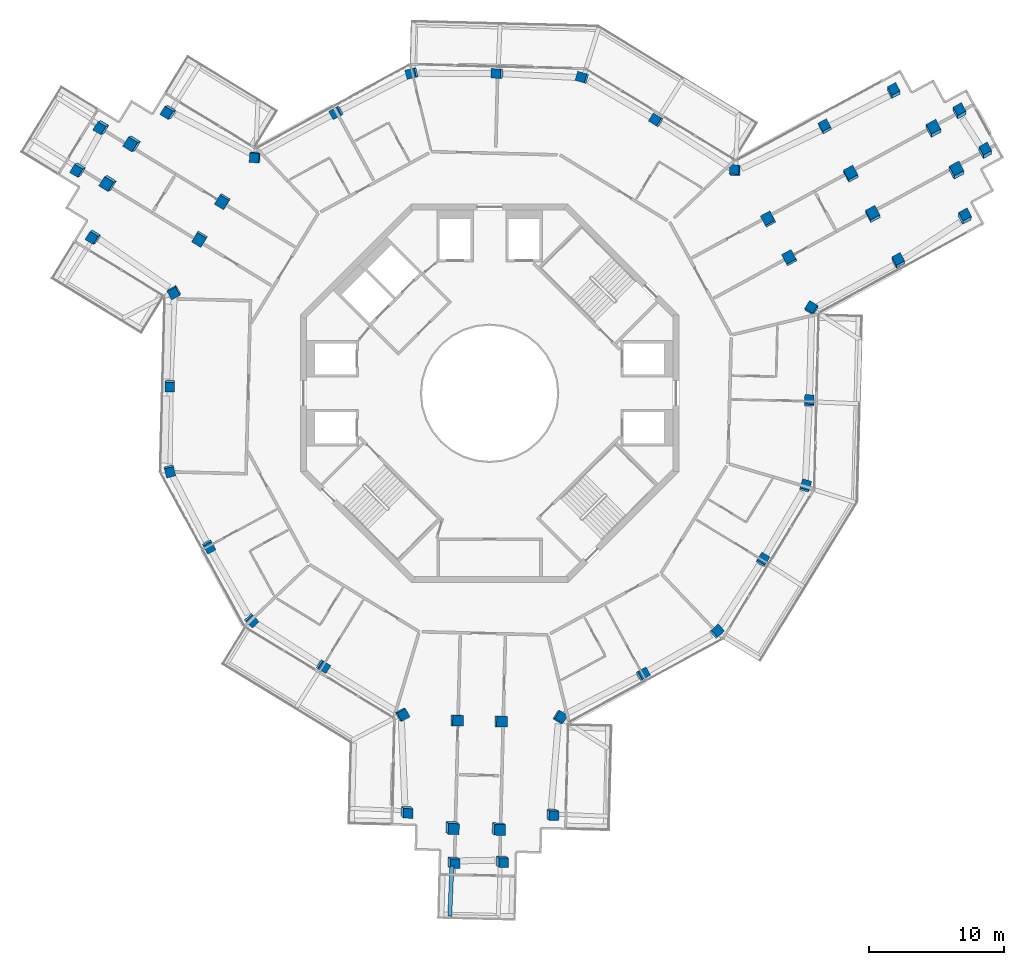
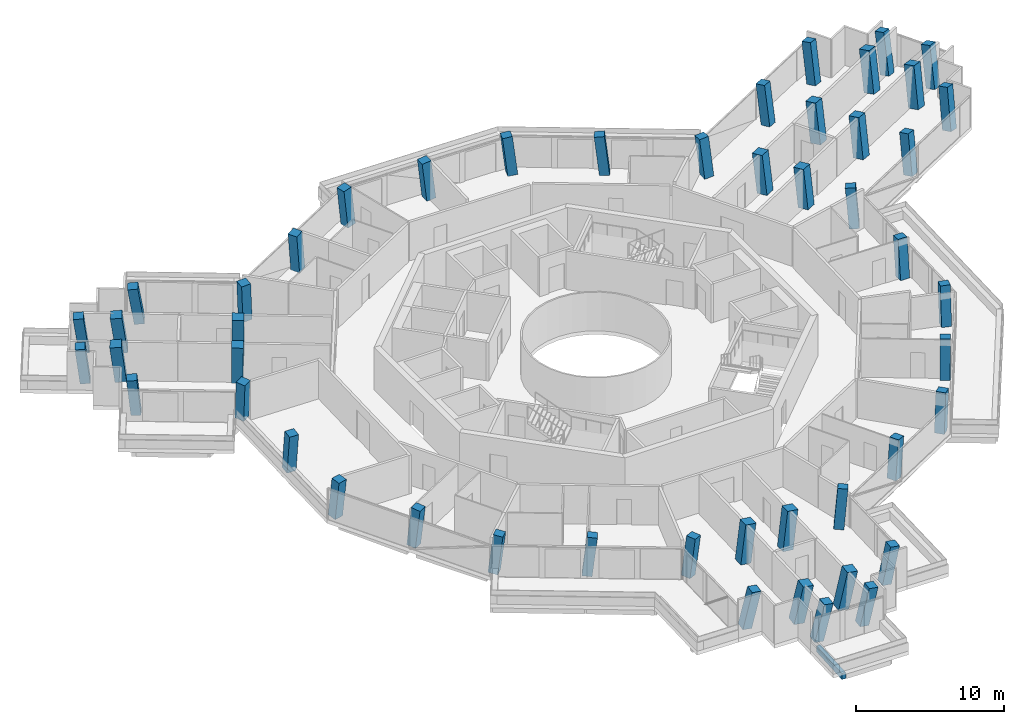
# One storey, part 1 of 24: 49 columns, 1 beam.
"""IFC4 building model written with IfcOpenShell, lengths in metres."""

from ifc_helpers import new_model, si_unit, direction, frame, origin, origin_2d, place, context, subcontext, project, spatial, rectangle, extrude, material, material_profile, profile_set, type_object, element, save


model = new_model("IFC4")

# Units and contexts
model_context = context("Model", 3, precision=1e-05, world=origin(), true_north=direction((0.0, 1.0)))
body_context = subcontext(model_context, "Body", "Model", "MODEL_VIEW")
ifc_project = project(units=[si_unit("LENGTHUNIT", "METRE"), si_unit("AREAUNIT", "SQUARE_METRE"), si_unit("VOLUMEUNIT", "CUBIC_METRE"), si_unit("PLANEANGLEUNIT", "RADIAN"), si_unit("MASSUNIT", "GRAM", prefix="KILO")], contexts=[model_context])

# Site, building, storey
site_placement = place(None, origin())
site = spatial("IfcSite", under=ifc_project, at=site_placement, CompositionType="ELEMENT")
building_placement = place(site_placement, origin())
building = spatial("IfcBuilding", under=site, at=building_placement, Name="Verdalira Terraces Hotel", CompositionType="ELEMENT")
storey_placement = place(building_placement, frame((0.0, 0.0, 274.0)))
storey = spatial("IfcBuildingStorey", under=building, at=storey_placement, Name="L67", CompositionType="ELEMENT", Elevation=274.0)

# Columns
ifc_material_1 = material(Name="Concrete C50", Category="concrete")
ifc_material_profile_1 = material_profile(ifc_material_1, rectangle(XDim=0.699951, YDim=0.699951, at=origin_2d()), Name="RC 700X700")
ifc_profile_set_1 = profile_set([ifc_material_profile_1], Name="Concrete C50")
column_type_1 = type_object("IfcColumnType", Name="Column RC 700X700 C50", PredefinedType="COLUMN", material=ifc_profile_set_1)
column_1_placement = place(storey_placement, frame((-23.67041, 20.812012, 0.0), z_axis=(-0.194443857, -0.054195416, 0.979415358), x_axis=(-0.834227402, 0.534373411, -0.136050352)))
element("IfcColumn", 1, at=column_1_placement, inside=storey, type_object=column_type_1, Name="Column C01", PredefinedType="COLUMN", context=body_context, shape_type="SweptSolid", body=[
    extrude(rectangle(XDim=0.699951, YDim=0.699951, at=origin_2d()), origin(), (0.0, 0.0, 1.0), 3.25708),
])
column_2_placement = place(storey_placement, frame((-29.259033, 11.593994, 0.0), z_axis=(-0.151919428, -0.080596461, 0.985101364), x_axis=(0.843160951, -0.530638658, 0.086615383)))
element("IfcColumn", 2, at=column_2_placement, inside=storey, type_object=column_type_1, Name="Column C02", PredefinedType="COLUMN", context=body_context, shape_type="SweptSolid", body=[
    extrude(rectangle(XDim=0.699951, YDim=0.699951, at=origin_2d()), origin(), (0.0, 0.0, 1.0), 3.238281),
])
column_3_placement = place(storey_placement, frame((-23.336914, 7.516113, 0.0), z_axis=(-0.034737788, -0.111282543, 0.993181495), x_axis=(-0.483036435, 0.871864688, 0.080794601)))
element("IfcColumn", 3, at=column_3_placement, inside=storey, type_object=column_type_1, Name="Column C03", PredefinedType="COLUMN", context=body_context, shape_type="SweptSolid", body=[
    extrude(rectangle(XDim=0.699951, YDim=0.699951, at=origin_2d()), origin(), (0.0, 0.0, 1.0), 3.211914),
])
column_4_placement = place(storey_placement, frame((-23.650879, 0.594482, 0.0), z_axis=(-0.001901218, -0.112476061, 0.993652616), x_axis=(-0.025223407, -0.993332875, -0.11248813)))
element("IfcColumn", 4, at=column_4_placement, inside=storey, type_object=column_type_1, Name="Column C04", PredefinedType="COLUMN", context=body_context, shape_type="SweptSolid", body=[
    extrude(rectangle(XDim=0.699951, YDim=0.699951, at=origin_2d()), origin(), (0.0, 0.0, 1.0), 3.210205),
])
column_5_placement = place(storey_placement, frame((-23.669189, -5.70874, 0.0), z_axis=(0.028051466, -0.112281885, 0.99328037), x_axis=(-0.232561936, 0.965671679, 0.115728794)))
element("IfcColumn", 5, at=column_5_placement, inside=storey, type_object=column_type_1, Name="Column C05", PredefinedType="COLUMN", context=body_context, shape_type="SweptSolid", body=[
    extrude(rectangle(XDim=0.699951, YDim=0.699951, at=origin_2d()), origin(), (0.0, 0.0, 1.0), 3.211426),
])
column_6_placement = place(storey_placement, frame((-20.779541, -11.310547, 0.0), z_axis=(0.054678505, -0.0984061, 0.993643045), x_axis=(0.475225292, -0.872632983, -0.112572636)))
element("IfcColumn", 6, at=column_6_placement, inside=storey, type_object=column_type_1, Name="Column C06", PredefinedType="COLUMN", context=body_context, shape_type="SweptSolid", body=[
    extrude(rectangle(XDim=0.699951, YDim=0.699951, at=origin_2d()), origin(), (0.0, 0.0, 1.0), 3.210449),
])
column_7_placement = place(storey_placement, frame((-17.643799, -16.778564, 0.0), z_axis=(0.080429245, -0.083241987, 0.993278364), x_axis=(-0.684092384, 0.720153088, 0.115746011)))
element("IfcColumn", 7, at=column_7_placement, inside=storey, type_object=column_type_1, Name="Column C07", PredefinedType="COLUMN", context=body_context, shape_type="SweptSolid", body=[
    extrude(rectangle(XDim=0.699951, YDim=0.699951, at=origin_2d()), origin(), (0.0, 0.0, 1.0), 3.211426),
])
column_8_placement = place(storey_placement, frame((-12.340332, -20.185059, 0.0), z_axis=(0.096505434, -0.057872841, 0.993648547), x_axis=(0.847798451, -0.518243304, -0.112524062)))
element("IfcColumn", 8, at=column_8_placement, inside=storey, type_object=column_type_1, Name="Column C08", PredefinedType="COLUMN", context=body_context, shape_type="SweptSolid", body=[
    extrude(rectangle(XDim=0.699951, YDim=0.699951, at=origin_2d()), origin(), (0.0, 0.0, 1.0), 3.210449),
])
column_9_placement = place(storey_placement, frame((-6.499023, -23.756104, 0.0), z_axis=(0.113176251, -0.029947242, 0.993123506), x_axis=(-0.470487, 0.878762487, 0.080115381)))
element("IfcColumn", 9, at=column_9_placement, inside=storey, type_object=column_type_1, Name="Column C09", PredefinedType="COLUMN", context=body_context, shape_type="SweptSolid", body=[
    extrude(rectangle(XDim=0.699951, YDim=0.699951, at=origin_2d()), origin(), (0.0, 0.0, 1.0), 3.211914),
])
column_10_placement = place(storey_placement, frame((-6.188721, -30.905273, 0.0), z_axis=(0.144221408, -0.141223042, 0.979416274), x_axis=(-0.045190065, -0.989671145, -0.136047356)))
element("IfcColumn", 10, at=column_10_placement, inside=storey, type_object=column_type_1, Name="Column C10", PredefinedType="COLUMN", context=body_context, shape_type="SweptSolid", body=[
    extrude(rectangle(XDim=0.699951, YDim=0.699951, at=origin_2d()), origin(), (0.0, 0.0, 1.0), 3.25708),
])
column_11_placement = place(storey_placement, frame((-2.741699, -34.653076, 0.0), z_axis=(0.161533593, -0.124821413, 0.978941527), x_axis=(0.986557112, -0.00444103, -0.163356489)))
element("IfcColumn", 11, at=column_11_placement, inside=storey, type_object=column_type_1, Name="Column C11", PredefinedType="COLUMN", context=body_context, shape_type="SweptSolid", body=[
    extrude(rectangle(XDim=0.699951, YDim=0.699951, at=origin_2d()), origin(), (0.0, 0.0, 1.0), 3.258545),
])
column_12_placement = place(storey_placement, frame((0.841309, -34.583008, 0.0), z_axis=(0.161410181, -0.108332508, 0.980923453), x_axis=(0.98656946, -0.007515872, -0.163169275)))
element("IfcColumn", 12, at=column_12_placement, inside=storey, type_object=column_type_1, Name="Column C12", PredefinedType="COLUMN", context=body_context, shape_type="SweptSolid", body=[
    extrude(rectangle(XDim=0.699951, YDim=0.699951, at=origin_2d()), origin(), (0.0, 0.0, 1.0), 3.251953),
])
column_13_placement = place(storey_placement, frame((4.589111, -31.135986, 0.0), z_axis=(0.145664297, -0.091228675, 0.985118897), x_axis=(0.038055209, 0.99551913, 0.086564785)))
element("IfcColumn", 13, at=column_13_placement, inside=storey, type_object=column_type_1, Name="Column C13", PredefinedType="COLUMN", context=body_context, shape_type="SweptSolid", body=[
    extrude(rectangle(XDim=0.699951, YDim=0.699951, at=origin_2d()), origin(), (0.0, 0.0, 1.0), 3.238037),
])
column_14_placement = place(storey_placement, frame((5.15918, -23.968262, 0.0), z_axis=(0.113790603, 0.025464163, 0.99317837), x_axis=(-0.514280758, -0.853805923, 0.080813047)))
element("IfcColumn", 14, at=column_14_placement, inside=storey, type_object=column_type_1, Name="Column C14", PredefinedType="COLUMN", context=body_context, shape_type="SweptSolid", body=[
    extrude(rectangle(XDim=0.699951, YDim=0.699951, at=origin_2d()), origin(), (0.0, 0.0, 1.0), 3.211914),
])
column_15_placement = place(storey_placement, frame((11.310547, -20.779541, 0.0), z_axis=(0.0984061, 0.054678505, 0.993643045), x_axis=(0.872632983, 0.475225292, -0.112572636)))
element("IfcColumn", 15, at=column_15_placement, inside=storey, type_object=column_type_1, Name="Column C15", PredefinedType="COLUMN", context=body_context, shape_type="SweptSolid", body=[
    extrude(rectangle(XDim=0.699951, YDim=0.699951, at=origin_2d()), origin(), (0.0, 0.0, 1.0), 3.210449),
])
column_16_placement = place(storey_placement, frame((16.778564, -17.643799, 0.0), z_axis=(0.083241987, 0.080429245, 0.993278364), x_axis=(-0.720153088, -0.684092384, 0.115746011)))
element("IfcColumn", 16, at=column_16_placement, inside=storey, type_object=column_type_1, Name="Column C16", PredefinedType="COLUMN", context=body_context, shape_type="SweptSolid", body=[
    extrude(rectangle(XDim=0.699951, YDim=0.699951, at=origin_2d()), origin(), (0.0, 0.0, 1.0), 3.211426),
])
column_17_placement = place(storey_placement, frame((20.185059, -12.340332, 0.0), z_axis=(0.057872841, 0.096505434, 0.993648547), x_axis=(0.518243304, 0.847798451, -0.112524062)))
element("IfcColumn", 17, at=column_17_placement, inside=storey, type_object=column_type_1, Name="Column C17", PredefinedType="COLUMN", context=body_context, shape_type="SweptSolid", body=[
    extrude(rectangle(XDim=0.699951, YDim=0.699951, at=origin_2d()), origin(), (0.0, 0.0, 1.0), 3.210449),
])
column_18_placement = place(storey_placement, frame((23.352539, -6.890625, 0.0), z_axis=(0.03185237, 0.111293246, 0.993277021), x_axis=(-0.281402991, -0.952582043, 0.115757536)))
element("IfcColumn", 18, at=column_18_placement, inside=storey, type_object=column_type_1, Name="Column C18", PredefinedType="COLUMN", context=body_context, shape_type="SweptSolid", body=[
    extrude(rectangle(XDim=0.699951, YDim=0.699951, at=origin_2d()), origin(), (0.0, 0.0, 1.0), 3.211426),
])
column_19_placement = place(storey_placement, frame((23.650879, -0.594482, 0.0), z_axis=(0.001901218, 0.112476061, 0.993652616), x_axis=(0.025223407, 0.993332875, -0.11248813)))
element("IfcColumn", 19, at=column_19_placement, inside=storey, type_object=column_type_1, Name="Column C19", PredefinedType="COLUMN", context=body_context, shape_type="SweptSolid", body=[
    extrude(rectangle(XDim=0.699951, YDim=0.699951, at=origin_2d()), origin(), (0.0, 0.0, 1.0), 3.210205),
])
column_20_placement = place(storey_placement, frame((23.822998, 6.249756, 0.0), z_axis=(-0.030707144, 0.113023573, 0.993117689), x_axis=(-0.525479684, -0.847022559, 0.080149147)))
element("IfcColumn", 20, at=column_20_placement, inside=storey, type_object=column_type_1, Name="Column C20", PredefinedType="COLUMN", context=body_context, shape_type="SweptSolid", body=[
    extrude(rectangle(XDim=0.699951, YDim=0.699951, at=origin_2d()), origin(), (0.0, 0.0, 1.0), 3.212158),
])
column_21_placement = place(storey_placement, frame((30.223877, 9.733887, 0.0), z_axis=(0.002564157, 0.17029022, 0.985390616), x_axis=(0.881216985, 0.465417382, -0.082724156)))
element("IfcColumn", 21, at=column_21_placement, inside=storey, type_object=column_type_1, Name="Column C21", PredefinedType="COLUMN", context=body_context, shape_type="SweptSolid", body=[
    extrude(rectangle(XDim=0.699951, YDim=0.699951, at=origin_2d()), origin(), (0.0, 0.0, 1.0), 3.237305),
])
column_22_placement = place(storey_placement, frame((35.128906, 12.96167, 0.0), z_axis=(0.036416025, 0.219093133, 0.975024139), x_axis=(0.881627944, 0.452351748, -0.134573639)))
element("IfcColumn", 22, at=column_22_placement, inside=storey, type_object=column_type_1, Name="Column C22", PredefinedType="COLUMN", context=body_context, shape_type="SweptSolid", body=[
    extrude(rectangle(XDim=0.699951, YDim=0.699951, at=origin_2d()), origin(), (0.0, 0.0, 1.0), 3.271729),
])
column_23_placement = place(storey_placement, frame((36.651123, 17.820557, 0.0), z_axis=(0.013642717, 0.225813067, 0.974075118), x_axis=(-0.489865602, 0.850760197, -0.190364858)))
element("IfcColumn", 23, at=column_23_placement, inside=storey, type_object=column_type_1, Name="Column C23", PredefinedType="COLUMN", context=body_context, shape_type="SweptSolid", body=[
    extrude(rectangle(XDim=0.699951, YDim=0.699951, at=origin_2d()), origin(), (0.0, 0.0, 1.0), 3.274902),
])
column_24_placement = place(storey_placement, frame((34.759033, 20.752686, 0.0), z_axis=(7.4705e-05, 0.217318029, 0.97610085), x_axis=(-0.486995188, 0.852538931, -0.189771067)))
element("IfcColumn", 24, at=column_24_placement, inside=storey, type_object=column_type_1, Name="Column C24", PredefinedType="COLUMN", context=body_context, shape_type="SweptSolid", body=[
    extrude(rectangle(XDim=0.699951, YDim=0.699951, at=origin_2d()), origin(), (0.0, 0.0, 1.0), 3.268066),
])
column_25_placement = place(storey_placement, frame((29.899902, 22.275146, 0.0), z_axis=(-0.006830156, 0.195447553, 0.980690371), x_axis=(-0.882439489, -0.462493121, 0.0860271)))
element("IfcColumn", 25, at=column_25_placement, inside=storey, type_object=column_type_1, Name="Column C25", PredefinedType="COLUMN", context=body_context, shape_type="SweptSolid", body=[
    extrude(rectangle(XDim=0.699951, YDim=0.699951, at=origin_2d()), origin(), (0.0, 0.0, 1.0), 3.252686),
])
column_26_placement = place(storey_placement, frame((24.821533, 19.658691, 0.0), z_axis=(-0.044180034, 0.144946822, 0.9884526), x_axis=(-0.88014854, -0.473741193, 0.030130214)))
element("IfcColumn", 26, at=column_26_placement, inside=storey, type_object=column_type_1, Name="Column C26", PredefinedType="COLUMN", context=body_context, shape_type="SweptSolid", body=[
    extrude(rectangle(XDim=0.699951, YDim=0.699951, at=origin_2d()), origin(), (0.0, 0.0, 1.0), 3.227295),
])
column_27_placement = place(storey_placement, frame((18.17749, 16.452148, 0.0), z_axis=(-0.078901161, 0.085818315, 0.993181667), x_axis=(0.996553519, -0.018801079, 0.080793584)))
element("IfcColumn", 27, at=column_27_placement, inside=storey, type_object=column_type_1, Name="Column C27", PredefinedType="COLUMN", context=body_context, shape_type="SweptSolid", body=[
    extrude(rectangle(XDim=0.699951, YDim=0.699951, at=origin_2d()), origin(), (0.0, 0.0, 1.0), 3.211914),
])
column_28_placement = place(storey_placement, frame((12.340332, 20.185059, 0.0), z_axis=(-0.096505434, 0.057872841, 0.993648547), x_axis=(-0.847798451, 0.518243304, -0.112524062)))
element("IfcColumn", 28, at=column_28_placement, inside=storey, type_object=column_type_1, Name="Column C28", PredefinedType="COLUMN", context=body_context, shape_type="SweptSolid", body=[
    extrude(rectangle(XDim=0.699951, YDim=0.699951, at=origin_2d()), origin(), (0.0, 0.0, 1.0), 3.210449),
])
column_29_placement = place(storey_placement, frame((6.890625, 23.352539, 0.0), z_axis=(-0.111293246, 0.03185237, 0.993277021), x_axis=(0.952582043, -0.281402991, 0.115757536)))
element("IfcColumn", 29, at=column_29_placement, inside=storey, type_object=column_type_1, Name="Column C29", PredefinedType="COLUMN", context=body_context, shape_type="SweptSolid", body=[
    extrude(rectangle(XDim=0.699951, YDim=0.699951, at=origin_2d()), origin(), (0.0, 0.0, 1.0), 3.211426),
])
column_30_placement = place(storey_placement, frame((0.594482, 23.650879, 0.0), z_axis=(-0.112476061, 0.001901218, 0.993652616), x_axis=(-0.993332875, 0.025223407, -0.11248813)))
element("IfcColumn", 30, at=column_30_placement, inside=storey, type_object=column_type_1, Name="Column C30", PredefinedType="COLUMN", context=body_context, shape_type="SweptSolid", body=[
    extrude(rectangle(XDim=0.699951, YDim=0.699951, at=origin_2d()), origin(), (0.0, 0.0, 1.0), 3.210205),
])
column_31_placement = place(storey_placement, frame((-5.70874, 23.669189, 0.0), z_axis=(-0.112281885, -0.028051466, 0.99328037), x_axis=(0.965671679, 0.232561936, 0.115728794)))
element("IfcColumn", 31, at=column_31_placement, inside=storey, type_object=column_type_1, Name="Column C31", PredefinedType="COLUMN", context=body_context, shape_type="SweptSolid", body=[
    extrude(rectangle(XDim=0.699951, YDim=0.699951, at=origin_2d()), origin(), (0.0, 0.0, 1.0), 3.211426),
])
column_32_placement = place(storey_placement, frame((-11.310547, 20.779541, 0.0), z_axis=(-0.0984061, -0.054678505, 0.993643045), x_axis=(-0.872632983, -0.475225292, -0.112572636)))
element("IfcColumn", 32, at=column_32_placement, inside=storey, type_object=column_type_1, Name="Column C32", PredefinedType="COLUMN", context=body_context, shape_type="SweptSolid", body=[
    extrude(rectangle(XDim=0.699951, YDim=0.699951, at=origin_2d()), origin(), (0.0, 0.0, 1.0), 3.210449),
])
column_33_placement = place(storey_placement, frame((-17.323975, 17.506348, 0.0), z_axis=(-0.082544533, -0.083076588, 0.993118664), x_axis=(0.996274725, -0.031838565, 0.080143487)))
element("IfcColumn", 33, at=column_33_placement, inside=storey, type_object=column_type_1, Name="Column C33", PredefinedType="COLUMN", context=body_context, shape_type="SweptSolid", body=[
    extrude(rectangle(XDim=0.699951, YDim=0.699951, at=origin_2d()), origin(), (0.0, 0.0, 1.0), 3.212158),
])
column_34_placement = place(storey_placement, frame((-28.639404, 19.700928, 0.0), z_axis=(-0.188952296, -0.077468943, 0.978925734), x_axis=(-0.497299096, -0.852049568, -0.163417081)))
element("IfcColumn", 34, at=column_34_placement, inside=storey, type_object=column_type_1, Name="Column C34", PredefinedType="COLUMN", context=body_context, shape_type="SweptSolid", body=[
    extrude(rectangle(XDim=0.699951, YDim=0.699951, at=origin_2d()), origin(), (0.0, 0.0, 1.0), 3.258545),
])
column_35_placement = place(storey_placement, frame((-30.370361, 16.562988, 0.0), z_axis=(-0.174547985, -0.085584818, 0.980922138), x_axis=(-0.499973812, -0.850529339, -0.163174848)))
element("IfcColumn", 35, at=column_35_placement, inside=storey, type_object=column_type_1, Name="Column C35", PredefinedType="COLUMN", context=body_context, shape_type="SweptSolid", body=[
    extrude(rectangle(XDim=0.699951, YDim=0.699951, at=origin_2d()), origin(), (0.0, 0.0, 1.0), 3.251953),
])
ifc_material_2 = material(Name="Concrete C50", Category="concrete")
ifc_material_profile_2 = material_profile(ifc_material_2, rectangle(XDim=0.800049, YDim=0.800049, at=origin_2d()), Name="RC 800X800")
ifc_profile_set_2 = profile_set([ifc_material_profile_2], Name="Concrete C50")
column_type_2 = type_object("IfcColumnType", Name="Column RC 800X800 C50", PredefinedType="COLUMN", material=ifc_profile_set_2)
for number, where, z_axis, x_axis, name in (
    (36, (-19.728516, 14.237305, 0.0), (-0.066897946, -0.094417328, 0.993282454), (-0.85284468, 0.522106266, -0.007810144), "Column C36"),
    (37, (-21.427002, 11.45874, 0.0), (-0.053671454, -0.102325463, 0.993302006), (-0.85343192, 0.52114932, 0.007572635), "Column C37"),
):
    element("IfcColumn", number, at=place(storey_placement, frame(where, z_axis=z_axis, x_axis=x_axis)), inside=storey, type_object=column_type_2, Name=name, PredefinedType="COLUMN", context=body_context, shape_type="SweptSolid", body=[
        extrude(rectangle(XDim=0.800049, YDim=0.800049, at=origin_2d()), origin(), (0.0, 0.0, 1.0), 3.211426),
    ])
column_36_placement = place(storey_placement, frame((-26.365234, 18.493652, 0.0), z_axis=(-0.183740013, -0.066875961, 0.98069731), x_axis=(-0.836984504, 0.533814363, -0.12041248)))
element("IfcColumn", 38, at=column_36_placement, inside=storey, type_object=column_type_2, Name="Column C38", PredefinedType="COLUMN", context=body_context, shape_type="SweptSolid", body=[
    extrude(rectangle(XDim=0.800049, YDim=0.800049, at=origin_2d()), origin(), (0.0, 0.0, 1.0), 3.252686),
])
column_37_placement = place(storey_placement, frame((-28.152588, 15.570312, 0.0), z_axis=(-0.170172732, -0.075273047, 0.982535093), x_axis=(-0.839877167, 0.53259001, -0.104662439)))
element("IfcColumn", 39, at=column_37_placement, inside=storey, type_object=column_type_2, Name="Column C39", PredefinedType="COLUMN", context=body_context, shape_type="SweptSolid", body=[
    extrude(rectangle(XDim=0.800049, YDim=0.800049, at=origin_2d()), origin(), (0.0, 0.0, 1.0), 3.246582),
])
for number, where, z_axis, x_axis, name in (
    (40, (-2.465576, -24.204102, 0.0), (0.115246525, -0.010718839, 0.993279087), (-0.025644135, -0.99964061, -0.007812094), "Column C40"),
    (41, (0.789795, -24.285889, 0.0), (0.115476898, 0.004713343, 0.993298983), (-0.024349215, -0.99967482, 0.007574338), "Column C41"),
):
    element("IfcColumn", number, at=place(storey_placement, frame(where, z_axis=z_axis, x_axis=x_axis)), inside=storey, type_object=column_type_2, Name=name, PredefinedType="COLUMN", context=body_context, shape_type="SweptSolid", body=[
        extrude(rectangle(XDim=0.800049, YDim=0.800049, at=origin_2d()), origin(), (0.0, 0.0, 1.0), 3.211426),
    ])
column_38_placement = place(storey_placement, frame((-2.833496, -32.079834, 0.0), z_axis=(0.149814285, -0.125645848, 0.980698119), x_axis=(-0.043558663, -0.991768158, -0.12040998)))
element("IfcColumn", 42, at=column_38_placement, inside=storey, type_object=column_type_2, Name="Column C42", PredefinedType="COLUMN", context=body_context, shape_type="SweptSolid", body=[
    extrude(rectangle(XDim=0.800049, YDim=0.800049, at=origin_2d()), origin(), (0.0, 0.0, 1.0), 3.252686),
])
column_39_placement = place(storey_placement, frame((0.591797, -32.166016, 0.0), z_axis=(0.150319857, -0.109713192, 0.982530893), x_axis=(-0.041053403, -0.993658785, -0.104674913)))
element("IfcColumn", 43, at=column_39_placement, inside=storey, type_object=column_type_2, Name="Column C43", PredefinedType="COLUMN", context=body_context, shape_type="SweptSolid", body=[
    extrude(rectangle(XDim=0.800049, YDim=0.800049, at=origin_2d()), origin(), (0.0, 0.0, 1.0), 3.246582),
])
for number, where, z_axis, x_axis, name in (
    (44, (22.194092, 9.966797, 0.0), (-0.048273096, 0.105136522, 0.993285467), (0.878738173, 0.477240245, -0.007808397), "Column C44"),
    (45, (20.637207, 12.826904, 0.0), (-0.06180589, 0.097612255, 0.993303518), (0.877887073, 0.478807848, 0.007571783), "Column C45"),
):
    element("IfcColumn", number, at=place(storey_placement, frame(where, z_axis=z_axis, x_axis=x_axis)), inside=storey, type_object=column_type_2, Name=name, PredefinedType="COLUMN", context=body_context, shape_type="SweptSolid", body=[
        extrude(rectangle(XDim=0.800049, YDim=0.800049, at=origin_2d()), origin(), (0.0, 0.0, 1.0), 3.211426),
    ])
column_40_placement = place(storey_placement, frame((28.355225, 13.166504, 0.0), z_axis=(-0.013593819, 0.161615399, 0.986760189), x_axis=(0.881061237, 0.468569216, -0.064606391)))
element("IfcColumn", 46, at=column_40_placement, inside=storey, type_object=column_type_2, Name="Column C46", PredefinedType="COLUMN", context=body_context, shape_type="SweptSolid", body=[
    extrude(rectangle(XDim=0.800049, YDim=0.800049, at=origin_2d()), origin(), (0.0, 0.0, 1.0), 3.232666),
])
column_41_placement = place(storey_placement, frame((26.733887, 16.145508, 0.0), z_axis=(-0.027591495, 0.153907627, 0.98769993), x_axis=(0.880802384, 0.470964373, -0.048782381)))
element("IfcColumn", 47, at=column_41_placement, inside=storey, type_object=column_type_2, Name="Column C47", PredefinedType="COLUMN", context=body_context, shape_type="SweptSolid", body=[
    extrude(rectangle(XDim=0.800049, YDim=0.800049, at=origin_2d()), origin(), (0.0, 0.0, 1.0), 3.229736),
])
column_42_placement = place(storey_placement, frame((34.516602, 16.366211, 0.0), z_axis=(0.020618318, 0.216417637, 0.976083137), x_axis=(0.882445058, 0.454979159, -0.119518556)))
element("IfcColumn", 48, at=column_42_placement, inside=storey, type_object=column_type_2, Name="Column C48", PredefinedType="COLUMN", context=body_context, shape_type="SweptSolid", body=[
    extrude(rectangle(XDim=0.800049, YDim=0.800049, at=origin_2d()), origin(), (0.0, 0.0, 1.0), 3.268066),
])
column_43_placement = place(storey_placement, frame((32.830566, 19.464111, 0.0), z_axis=(0.006137449, 0.208748128, 0.977950178), x_axis=(0.88249113, 0.458805855, -0.103472662)))
element("IfcColumn", 49, at=column_43_placement, inside=storey, type_object=column_type_2, Name="Column C49", PredefinedType="COLUMN", context=body_context, shape_type="SweptSolid", body=[
    extrude(rectangle(XDim=0.800049, YDim=0.800049, at=origin_2d()), origin(), (0.0, 0.0, 1.0), 3.261963),
])

# Beam
ifc_material_3 = material(Name="Concrete C40", Category="concrete")
ifc_material_profile_3 = material_profile(ifc_material_3, rectangle(XDim=0.300049, YDim=0.5, at=origin_2d()), Name="RC 300X500")
ifc_profile_set_3 = profile_set([ifc_material_profile_3], Name="Concrete C40")
beam_type = type_object("IfcBeamType", Name="Balcony cantilever beam RC 300X500 C40", PredefinedType="BEAM", material=ifc_profile_set_3)
beam_placement = place(storey_placement, frame((-2.79126, -34.972412, -0.560059), z_axis=(-0.041852252, -0.999123811, 0.0), x_axis=(0.999123811, -0.041852252, 0.0)))
element("IfcBeam", 50, at=beam_placement, inside=storey, type_object=beam_type, Name="Balcony cantilever beam R19-1", PredefinedType="BEAM", context=body_context, shape_type="SweptSolid", body=[
    extrude(rectangle(XDim=0.300049, YDim=0.5, at=origin_2d()), origin(), (0.0, 0.0, 1.0), 3.709961),
])

save(model, "model.ifc")
